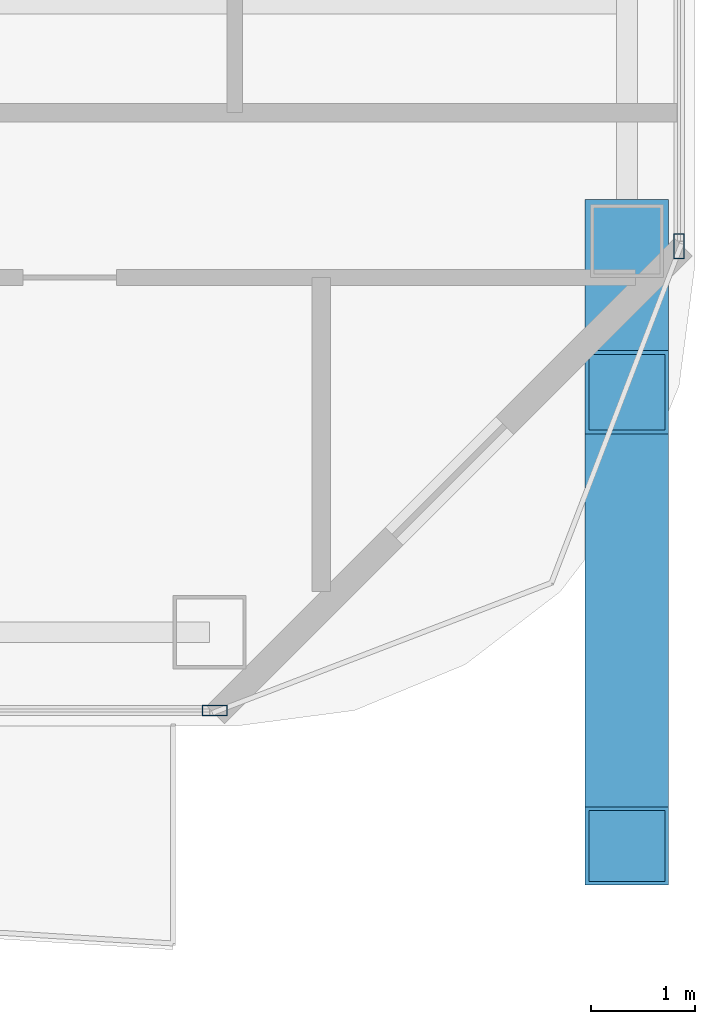
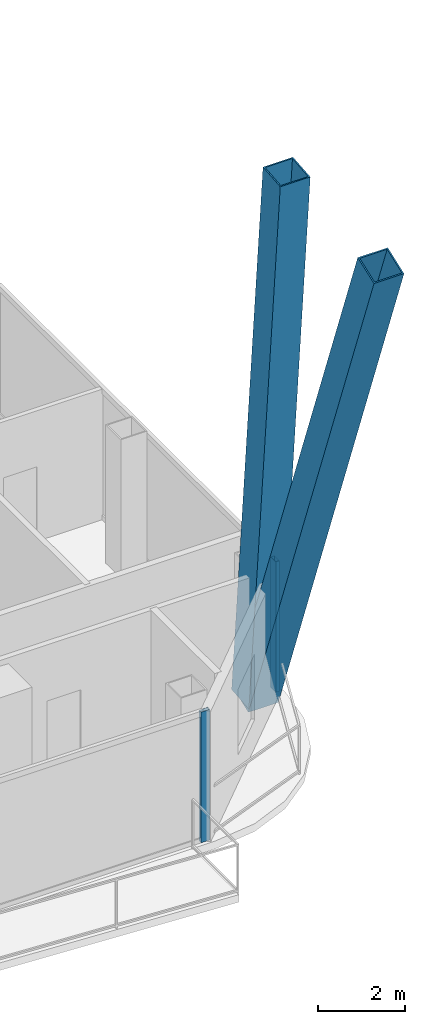
# One storey, part 9 of 28: 4 members, 2 elements without a shape of their own.
"""IFC4 building model written with IfcOpenShell, lengths in metres."""

from ifc_helpers import new_model, si_unit, direction, frame, origin, origin_2d, place, context, subcontext, project, spatial, hollow_rectangle, extrude, material, layer, layer_set, material_profile, profile_set, type_object, element, aggregate, save


model = new_model("IFC4")

# Units and contexts
model_context = context("Model", 3, precision=1e-05, world=origin(), true_north=direction((0.0, 1.0)))
body_context = subcontext(model_context, "Body", "Model", "MODEL_VIEW")
ifc_project = project(units=[si_unit("LENGTHUNIT", "METRE"), si_unit("AREAUNIT", "SQUARE_METRE"), si_unit("VOLUMEUNIT", "CUBIC_METRE"), si_unit("PLANEANGLEUNIT", "RADIAN"), si_unit("MASSUNIT", "GRAM", prefix="KILO")], contexts=[model_context])

# Site, building, storey
site_placement = place(None, origin())
site = spatial("IfcSite", under=ifc_project, at=site_placement, CompositionType="ELEMENT")
building_placement = place(site_placement, origin())
building = spatial("IfcBuilding", under=site, at=building_placement, Name="Khorvyn Point Tower", CompositionType="ELEMENT")
storey_placement = place(building_placement, frame((0.0, 0.0, 121.199951171875)))
storey = spatial("IfcBuildingStorey", under=building, at=storey_placement, Name="L30", CompositionType="ELEMENT", Elevation=121.199951171875)

# Curtain wall, member
ifc_material_1 = material(Name="Anodised aluminium 6063-T6 and laminated Low-E glass", Category="aluminium")
ifc_layer = layer(ifc_material_1, 0.18994140625)
ifc_layer_set = layer_set([ifc_layer], Name="Stick-Built Acoustic Curtain Wall CW-SYS-03")
curtain_wall_type = type_object("IfcCurtainWallType", Name="Stick-Built Acoustic Curtain Wall CW-SYS-03", PredefinedType="NOTDEFINED", material=ifc_layer_set)
curtain_wall_1_placement = place(storey_placement, origin())
curtain_wall_1 = element("IfcCurtainWall", 1, at=curtain_wall_1_placement, inside=storey, type_object=curtain_wall_type, Name="Curtain Wall", PredefinedType="NOTDEFINED")
ifc_material_2 = material(Name="Anodised aluminium 6063-T6", Category="aluminium")
ifc_material_profile_1 = material_profile(ifc_material_2, hollow_rectangle(XDim=0.10009765625, YDim=0.239990234375, WallThickness=0.0048828125, at=origin_2d()))
ifc_profile_set_1 = profile_set([ifc_material_profile_1], Name="Anodised aluminium 6063-T6 ALU-MUL-100x240")
member_type_1 = type_object("IfcMemberType", Name="Anodised Aluminium 6063-T6 Mullion ALU-MUL-100x240", PredefinedType="MULLION", material=ifc_profile_set_1)
member_1_placement = place(storey_placement, frame((23.10009765625, -17.85009765625, 0.0), z_axis=(0.0, 0.0, 1.0), x_axis=(0.0, -1.0, 0.0)))
member_1 = element("IfcMember", 2, at=member_1_placement, type_object=member_type_1, Name="Transom", PredefinedType="MULLION", context=body_context, shape_type="SweptSolid", body=[
    extrude(hollow_rectangle(XDim=0.10009765625, YDim=0.239990234375, WallThickness=0.0048828125, at=origin_2d()), origin(), (0.0, 0.0, 1.0), 3.679931640625),
])
aggregate(curtain_wall_1, [member_1])

curtain_wall_2_placement = place(storey_placement, origin())
curtain_wall_2 = element("IfcCurtainWall", 3, at=curtain_wall_2_placement, inside=storey, type_object=curtain_wall_type, Name="Curtain Wall", PredefinedType="NOTDEFINED")
member_2_placement = place(storey_placement, frame((27.550048828125, -13.39990234375, 0.0), z_axis=(0.0, 0.0, 1.0), x_axis=(1.0, 0.0, 0.0)))
member_2 = element("IfcMember", 4, at=member_2_placement, type_object=member_type_1, Name="Transom", PredefinedType="MULLION", context=body_context, shape_type="SweptSolid", body=[
    extrude(hollow_rectangle(XDim=0.10009765625, YDim=0.239990234375, WallThickness=0.0048828125, at=origin_2d()), origin(), (0.0, 0.0, 1.0), 3.679931640625),
])
aggregate(curtain_wall_2, [member_2])

# Members
ifc_material_3 = material(Name="Steel S450", Category="steel")
ifc_material_profile_2 = material_profile(ifc_material_3, hollow_rectangle(XDim=0.800048828125, YDim=0.800048828125, WallThickness=0.035888671875, at=origin_2d()))
ifc_profile_set_2 = profile_set([ifc_material_profile_2], Name="Steel S450 BOX800x800x36")
member_type_2 = type_object("IfcMemberType", Name="Steel S450 Exoskeleton Structural Post BOX800x800x36", PredefinedType="POST", material=ifc_profile_set_2)
member_3_placement = place(storey_placement, frame((27.050048828125, -13.35009765625, 0.0), z_axis=(0.0, -0.348475998872, 0.937317703988), x_axis=(1.0, 0.0, 0.0)))
element("IfcMember", 5, at=member_3_placement, inside=storey, type_object=member_type_2, Name="L30 to L34 Exoskeleton Transfer Post 07", PredefinedType="POST", context=body_context, shape_type="SweptSolid", body=[
    extrude(hollow_rectangle(XDim=0.800048828125, YDim=0.800048828125, WallThickness=0.035888671875, at=origin_2d()), origin(), (0.0, 0.0, 1.0), 16.643310546875),
])
member_4_placement = place(storey_placement, frame((27.050048828125, -13.35009765625, 0.0), z_axis=(0.0, -0.092546123187, 0.99570839862), x_axis=(1.0, 0.0, 0.0)))
element("IfcMember", 6, at=member_4_placement, inside=storey, type_object=member_type_2, Name="L30 to L34 Exoskeleton Transfer Post 15", PredefinedType="POST", context=body_context, shape_type="SweptSolid", body=[
    extrude(hollow_rectangle(XDim=0.800048828125, YDim=0.800048828125, WallThickness=0.035888671875, at=origin_2d()), origin(), (0.0, 0.0, 1.0), 15.667236328125),
])

save(model, "model.ifc")
